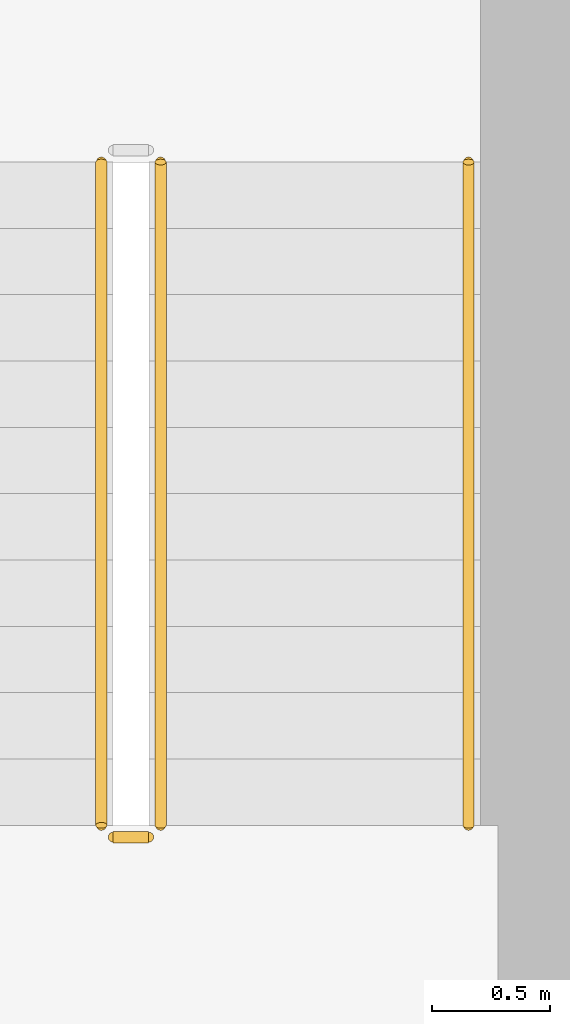
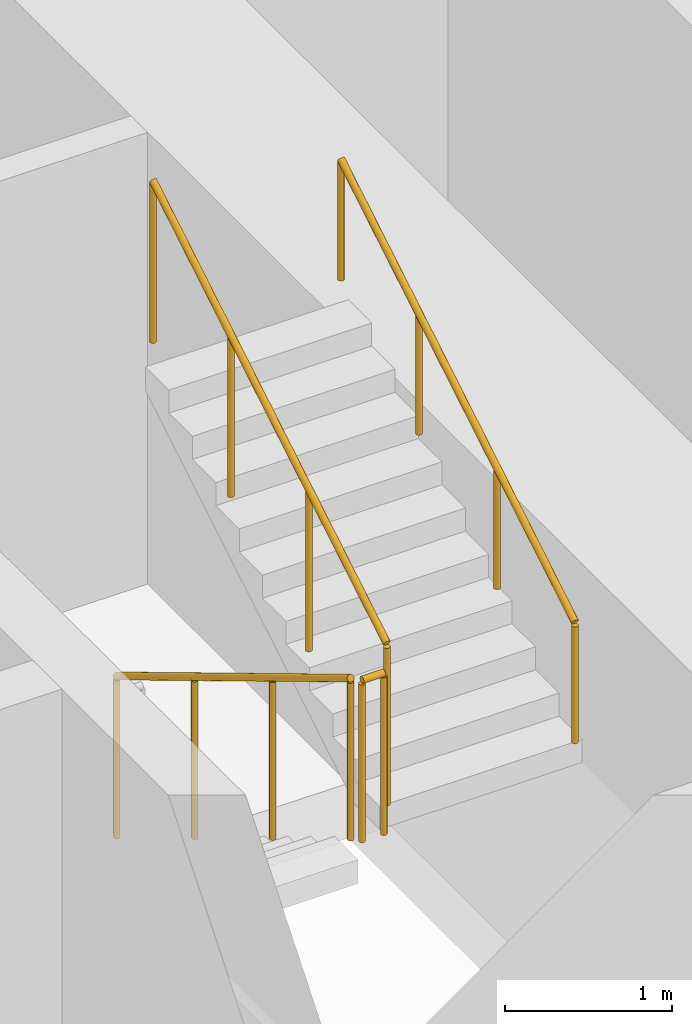
# One storey, part 22 of 26: 4 railings.
"""IFC4 building model written with IfcOpenShell, lengths in metres."""

from ifc_helpers import new_model, si_unit, direction, frame, origin, origin_2d, place, context, subcontext, project, spatial, circle, extrude, material, type_object, element, save


model = new_model("IFC4")

# Units and contexts
model_context = context("Model", 3, precision=1e-05, world=origin(), true_north=direction((0.0, 1.0)))
body_context = subcontext(model_context, "Body", "Model", "MODEL_VIEW")
ifc_project = project(units=[si_unit("LENGTHUNIT", "METRE"), si_unit("AREAUNIT", "SQUARE_METRE"), si_unit("VOLUMEUNIT", "CUBIC_METRE"), si_unit("PLANEANGLEUNIT", "RADIAN"), si_unit("MASSUNIT", "GRAM", prefix="KILO")], contexts=[model_context])

# Site, building, storey
site_placement = place(None, origin())
site = spatial("IfcSite", under=ifc_project, at=site_placement, CompositionType="ELEMENT")
building_placement = place(site_placement, origin())
building = spatial("IfcBuilding", under=site, at=building_placement, Name="Dongbaek Canopy Tower", CompositionType="ELEMENT")
storey_placement = place(building_placement, frame((0.0, 0.0, 66.199951171875)))
storey = spatial("IfcBuildingStorey", under=building, at=storey_placement, Name="L12", CompositionType="ELEMENT", Elevation=66.199951171875)

# Railings
ifc_material_1 = material(Name="Stainless steel tube and balusters", Category="steel")
railing_type_1 = type_object("IfcRailingType", Name="Stair guard 1200", PredefinedType="GUARDRAIL", material=ifc_material_1)
railing_1_placement = place(storey_placement, frame((11.199951171875, -4.699951171875, 0.168212890625)))
element("IfcRailing", 1, at=railing_1_placement, inside=storey, type_object=railing_type_1, Name="L12 ST-B stair guard 1", PredefinedType="GUARDRAIL", context=body_context, shape_type="SweptSolid", body=[
    extrude(circle(Radius=0.02392578125, at=origin_2d()), frame((0.0, 0.0, 1.17578125), z_axis=(0.0, -0.857242210791, 0.514913383045), x_axis=(1.0, 0.0, 0.0)), (0.0, 0.0, 1.0), 3.266357421875),
    extrude(circle(Radius=0.02099609375, at=origin_2d()), origin(), (0.0, 0.0, 1.0), 1.15185546875),
    extrude(circle(Radius=0.02099609375, at=origin_2d()), frame((0.0, -0.933349609375, 0.560546875)), (0.0, 0.0, 1.0), 1.15185546875),
    extrude(circle(Radius=0.02099609375, at=origin_2d()), frame((0.0, -1.86669921875, 1.121337890625)), (0.0, 0.0, 1.0), 1.15185546875),
    extrude(circle(Radius=0.02099609375, at=origin_2d()), frame((0.0, -2.800048828125, 1.681884765625)), (0.0, 0.0, 1.0), 1.15185546875),
])
railing_2_placement = place(storey_placement, frame((11.25, -7.550048828125, 1.85009765625)))
element("IfcRailing", 2, at=railing_2_placement, inside=storey, type_object=railing_type_1, Name="L12 ST-B stair guard 2", PredefinedType="GUARDRAIL", context=body_context, shape_type="SweptSolid", body=[
    extrude(circle(Radius=0.02392578125, at=origin_2d()), frame((0.0, 0.0, 1.17578125), z_axis=(1.0, 0.0, 0.0), x_axis=(0.0, 1.0, 0.0)), (0.0, 0.0, 1.0), 0.14990234375),
    extrude(circle(Radius=0.02099609375, at=origin_2d()), origin(), (0.0, 0.0, 1.0), 1.15185546875),
    extrude(circle(Radius=0.02099609375, at=origin_2d()), frame((0.14990234375, 0.0, 0.0)), (0.0, 0.0, 1.0), 1.15185546875),
])
railing_3_placement = place(storey_placement, frame((11.449951171875, -7.5, 2.018310546875)))
element("IfcRailing", 3, at=railing_3_placement, inside=storey, type_object=railing_type_1, Name="L12 ST-B stair guard 3", PredefinedType="GUARDRAIL", context=body_context, shape_type="SweptSolid", body=[
    extrude(circle(Radius=0.02392578125, at=origin_2d()), frame((0.0, 0.0, 1.17578125), z_axis=(0.0, 0.857275202839, 0.514858452973), x_axis=(-1.0, 0.0, 0.0)), (0.0, 0.0, 1.0), 3.26611328125),
    extrude(circle(Radius=0.02099609375, at=origin_2d()), origin(), (0.0, 0.0, 1.0), 1.15185546875),
    extrude(circle(Radius=0.02099609375, at=origin_2d()), frame((0.0, 0.933349609375, 0.560546875)), (0.0, 0.0, 1.0), 1.15185546875),
    extrude(circle(Radius=0.02099609375, at=origin_2d()), frame((0.0, 1.86669921875, 1.12109375)), (0.0, 0.0, 1.0), 1.15185546875),
    extrude(circle(Radius=0.02099609375, at=origin_2d()), frame((0.0, 2.800048828125, 1.681640625)), (0.0, 0.0, 1.0), 1.15185546875),
])
ifc_material_2 = material(Name="Stainless steel tube", Category="steel")
railing_type_2 = type_object("IfcRailingType", Name="Stair handrail 900", PredefinedType="HANDRAIL", material=ifc_material_2)
railing_4_placement = place(storey_placement, frame((12.75, -7.5, 2.018310546875)))
element("IfcRailing", 4, at=railing_4_placement, inside=storey, type_object=railing_type_2, Name="L12 ST-B stair handrail 2", PredefinedType="HANDRAIL", context=body_context, shape_type="SweptSolid", body=[
    extrude(circle(Radius=0.02392578125, at=origin_2d()), frame((0.0, 0.0, 0.8759765625), z_axis=(0.0, 0.857275202839, 0.514858452973), x_axis=(-1.0, 0.0, 0.0)), (0.0, 0.0, 1.0), 3.26611328125),
    extrude(circle(Radius=0.02099609375, at=origin_2d()), origin(), (0.0, 0.0, 1.0), 0.851806640625),
    extrude(circle(Radius=0.02099609375, at=origin_2d()), frame((0.0, 0.933349609375, 0.560546875)), (0.0, 0.0, 1.0), 0.851806640625),
    extrude(circle(Radius=0.02099609375, at=origin_2d()), frame((0.0, 1.86669921875, 1.12109375)), (0.0, 0.0, 1.0), 0.851806640625),
    extrude(circle(Radius=0.02099609375, at=origin_2d()), frame((0.0, 2.800048828125, 1.681640625)), (0.0, 0.0, 1.0), 0.851806640625),
])

save(model, "model.ifc")
